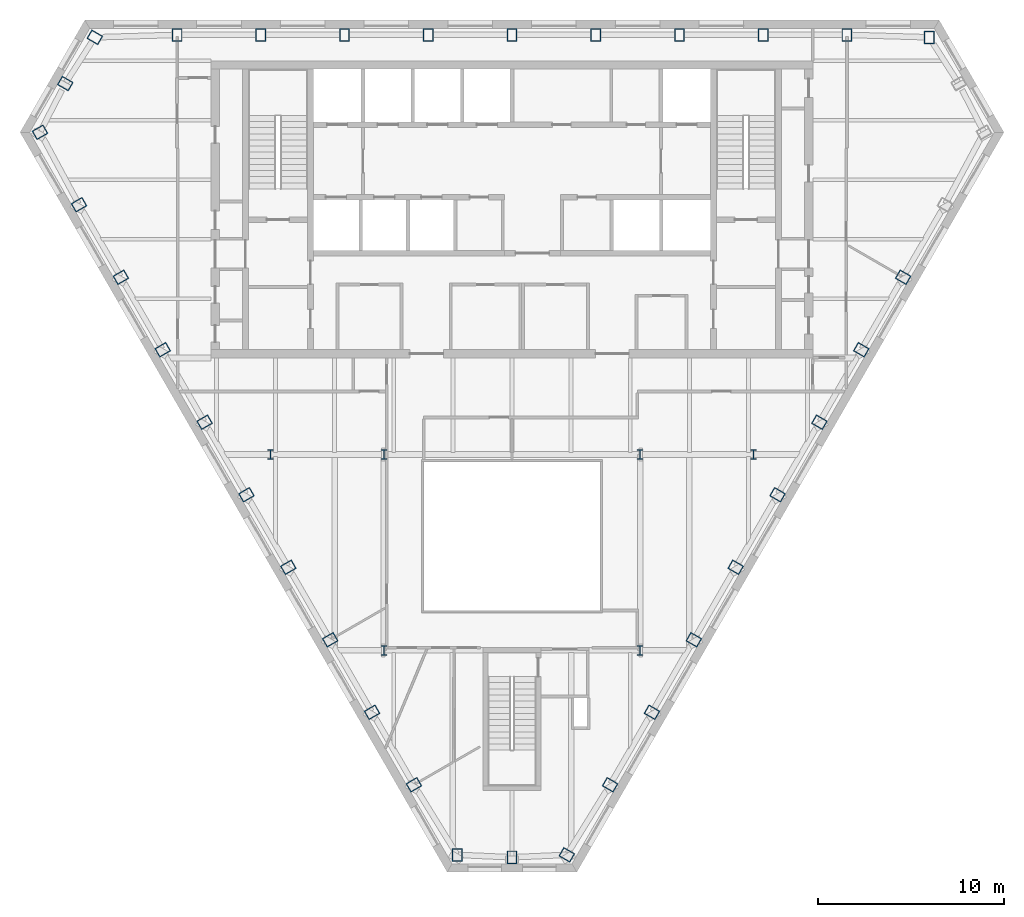
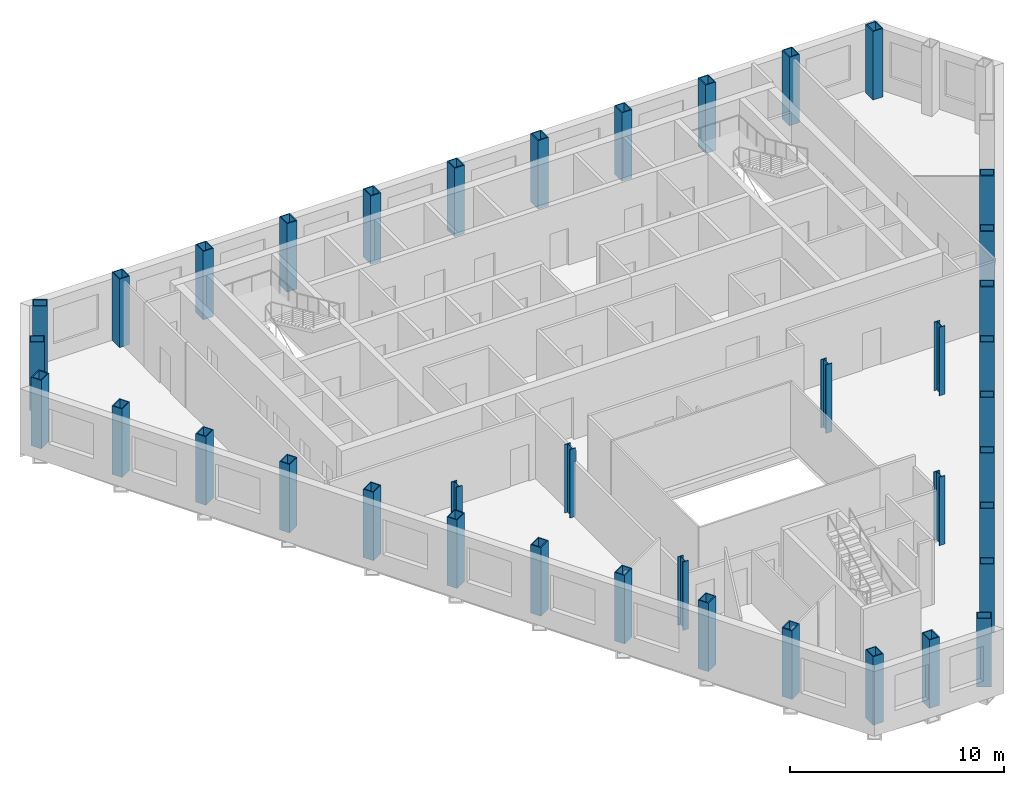
# One storey, part 1 of 11: 39 columns.
"""IFC4 building model written with IfcOpenShell, lengths in metres."""

from ifc_helpers import new_model, si_unit, direction, frame, origin, origin_2d, place, context, subcontext, project, spatial, hollow_rectangle, i_section, extrude, material, material_profile, profile_set, type_object, element, save


model = new_model("IFC4")

# Units and contexts
model_context = context("Model", 3, precision=1e-05, world=origin(), true_north=direction((0.0, 1.0)))
body_context = subcontext(model_context, "Body", "Model", "MODEL_VIEW")
ifc_project = project(units=[si_unit("LENGTHUNIT", "METRE"), si_unit("AREAUNIT", "SQUARE_METRE"), si_unit("VOLUMEUNIT", "CUBIC_METRE"), si_unit("PLANEANGLEUNIT", "RADIAN"), si_unit("MASSUNIT", "GRAM", prefix="KILO")], contexts=[model_context])

# Site, building, storey
site_placement = place(None, origin())
site = spatial("IfcSite", under=ifc_project, at=site_placement, CompositionType="ELEMENT")
building_placement = place(site_placement, origin())
building = spatial("IfcBuilding", under=site, at=building_placement, Name="Njiva Tower", CompositionType="ELEMENT")
storey_placement = place(building_placement, frame((0.0, 0.0, 216.0)))
storey = spatial("IfcBuildingStorey", under=building, at=storey_placement, Name="L48", CompositionType="ELEMENT", Elevation=216.0)

# Columns
ifc_material = material(Name="Steel S355 J2", Category="steel")
ifc_material_profile_1 = material_profile(ifc_material, hollow_rectangle(XDim=0.55, YDim=0.7, WallThickness=0.05, at=origin_2d()), Name="BOX 700x550x50")
ifc_profile_set_1 = profile_set([ifc_material_profile_1], Name="Steel S355 J2")
column_type_1 = type_object("IfcColumnType", Name="C11 Perimeter tube column BOX 700x550x50", PredefinedType="COLUMN", material=ifc_profile_set_1)
for number, where, z_axis, x_axis, name in (
    (1, (22.466, 19.267, 0.0), (0.0, 0.0, 1.0), (-1.0, 0.0, 0.0), "Perimeter tube column S16-C01"),
    (2, (18.034, 19.4, 0.0), (0.0, 0.0, 1.0), (-1.0, 0.0, 0.0), "Perimeter tube column S16-C02"),
    (3, (13.526, 19.4, 0.0), (0.0, 0.0, 1.0), (-1.0, 0.0, 0.0), "Perimeter tube column S16-C03"),
    (4, (9.017, 19.4, 0.0), (0.0, 0.0, 1.0), (-1.0, 0.0, 0.0), "Perimeter tube column S16-C04"),
    (5, (4.509, 19.4, 0.0), (0.0, 0.0, 1.0), (-1.0, 0.0, 0.0), "Perimeter tube column S16-C05"),
    (6, (0.0, 19.4, 0.0), (0.0, 0.0, 1.0), (-1.0, 0.0, 0.0), "Perimeter tube column S16-C06"),
    (7, (-4.509, 19.4, 0.0), (0.0, 0.0, 1.0), (-1.0, 0.0, 0.0), "Perimeter tube column S16-C07"),
    (8, (-9.017, 19.4, 0.0), (0.0, 0.0, 1.0), (-1.0, 0.0, 0.0), "Perimeter tube column S16-C08"),
    (9, (-13.526, 19.4, 0.0), (0.0, 0.0, 1.0), (-1.0, 0.0, 0.0), "Perimeter tube column S16-C09"),
    (10, (-18.034, 19.4, 0.0), (0.0, 0.0, 1.0), (-1.0, 0.0, 0.0), "Perimeter tube column S16-C10"),
    (11, (-22.466, 19.267, 0.0), (0.0, 0.0, 1.0), (-0.5, -0.866025403784, 0.0), "Perimeter tube column S16-C11"),
    (12, (-24.057, 16.778, 0.0), (0.0, 0.0, 1.0), (-0.5, -0.866025403784, 0.0), "Perimeter tube column S16-C12"),
    (13, (-25.418, 14.155, 0.0), (0.0, 0.0, 1.0), (0.5, -0.866025403784, 0.0), "Perimeter tube column S16-C13"),
    (14, (-23.317, 10.251, 0.0), (0.0, 0.0, 1.0), (0.5, -0.866025403784, 0.0), "Perimeter tube column S16-C14"),
    (15, (-21.063, 6.346, 0.0), (0.0, 0.0, 1.0), (0.5, -0.866025403784, 0.0), "Perimeter tube column S16-C15"),
    (16, (-18.808, 2.441, 0.0), (0.0, 0.0, 1.0), (0.5, -0.866025403784, 0.0), "Perimeter tube column S16-C16"),
    (17, (-16.554, -1.463, 0.0), (0.0, 0.0, 1.0), (0.5, -0.866025403784, 0.0), "Perimeter tube column S16-C17"),
    (18, (-14.3, -5.368, 0.0), (0.0, 0.0, 1.0), (0.5, -0.866025403784, 0.0), "Perimeter tube column S16-C18"),
    (19, (-12.045, -9.272, 0.0), (0.0, 0.0, 1.0), (0.5, -0.866025403784, 0.0), "Perimeter tube column S16-C19"),
    (20, (-9.791, -13.177, 0.0), (0.0, 0.0, 1.0), (0.5, -0.866025403784, 0.0), "Perimeter tube column S16-C20"),
    (21, (-7.537, -17.082, 0.0), (0.0, 0.0, 1.0), (0.5, -0.866025403784, 0.0), "Perimeter tube column S16-C21"),
    (22, (-5.282, -20.986, 0.0), (0.0, 0.0, 1.0), (0.5, -0.866025403784, 0.0), "Perimeter tube column S16-C22"),
    (23, (-2.951, -24.758, 0.0), (0.0, 0.0, 1.0), (1.0, 0.0, 0.0), "Perimeter tube column S16-C23"),
    (24, (0.0, -24.891, 0.0), (0.0, 0.0, 1.0), (1.0, 0.0, 0.0), "Perimeter tube column S16-C24"),
    (25, (2.951, -24.758, 0.0), (0.0, 0.0, 1.0), (0.5, 0.866025403784, 0.0), "Perimeter tube column S16-C25"),
    (26, (5.282, -20.986, 0.0), (0.0, 0.0, 1.0), (0.5, 0.866025403784, 0.0), "Perimeter tube column S16-C26"),
    (27, (7.537, -17.082, 0.0), (0.0, 0.0, 1.0), (0.5, 0.866025403784, 0.0), "Perimeter tube column S16-C27"),
    (28, (9.791, -13.177, 0.0), (0.0, 0.0, 1.0), (0.5, 0.866025403784, 0.0), "Perimeter tube column S16-C28"),
    (29, (12.045, -9.272, 0.0), (0.0, 0.0, 1.0), (0.5, 0.866025403784, 0.0), "Perimeter tube column S16-C29"),
    (30, (14.3, -5.368, 0.0), (0.0, 0.0, 1.0), (0.5, 0.866025403784, 0.0), "Perimeter tube column S16-C30"),
    (31, (16.554, -1.463, 0.0), (0.0, 0.0, 1.0), (0.5, 0.866025403784, 0.0), "Perimeter tube column S16-C31"),
    (32, (18.808, 2.441, 0.0), (0.0, 0.0, 1.0), (0.5, 0.866025403784, 0.0), "Perimeter tube column S16-C32"),
    (33, (21.063, 6.346, 0.0), (0.0, 0.0, 1.0), (0.5, 0.866025403784, 0.0), "Perimeter tube column S16-C33"),
):
    element("IfcColumn", number, at=place(storey_placement, frame(where, z_axis=z_axis, x_axis=x_axis)), inside=storey, type_object=column_type_1, Name=name, PredefinedType="COLUMN", context=body_context, shape_type="SweptSolid", body=[
        extrude(hollow_rectangle(XDim=0.55, YDim=0.7, WallThickness=0.05, at=origin_2d()), origin(), (0.0, 0.0, 1.0), 3.9),
    ])
ifc_material_profile_2 = material_profile(ifc_material, i_section(OverallWidth=0.306, OverallDepth=0.524, WebThickness=0.021, FlangeThickness=0.04, at=origin_2d()), Name="HEM 500")
ifc_profile_set_2 = profile_set([ifc_material_profile_2], Name="Steel S355 J2")
column_type_2 = type_object("IfcColumnType", Name="C12 Interior column HEM 500", PredefinedType="COLUMN", material=ifc_profile_set_2)
for number, where, z_axis, x_axis, name in (
    (34, (6.9, -3.2, 0.0), (0.0, 0.0, 1.0), (1.0, 0.0, 0.0), "Interior column S16-C37"),
    (35, (-6.9, -3.2, 0.0), (0.0, 0.0, 1.0), (1.0, 0.0, 0.0), "Interior column S16-C38"),
    (36, (6.9, -13.75, 0.0), (0.0, 0.0, 1.0), (1.0, 0.0, 0.0), "Interior column S16-C39"),
    (37, (-6.9, -13.75, 0.0), (0.0, 0.0, 1.0), (1.0, 0.0, 0.0), "Interior column S16-C40"),
    (38, (13.0, -3.2, 0.0), (0.0, 0.0, 1.0), (1.0, 0.0, 0.0), "Interior column S16-C41"),
    (39, (-13.0, -3.2, 0.0), (0.0, 0.0, 1.0), (1.0, 0.0, 0.0), "Interior column S16-C42"),
):
    element("IfcColumn", number, at=place(storey_placement, frame(where, z_axis=z_axis, x_axis=x_axis)), inside=storey, type_object=column_type_2, Name=name, PredefinedType="COLUMN", context=body_context, shape_type="SweptSolid", body=[
        extrude(i_section(OverallWidth=0.306, OverallDepth=0.524, WebThickness=0.021, FlangeThickness=0.04, at=origin_2d()), origin(), (0.0, 0.0, 1.0), 3.9),
    ])

save(model, "model.ifc")
